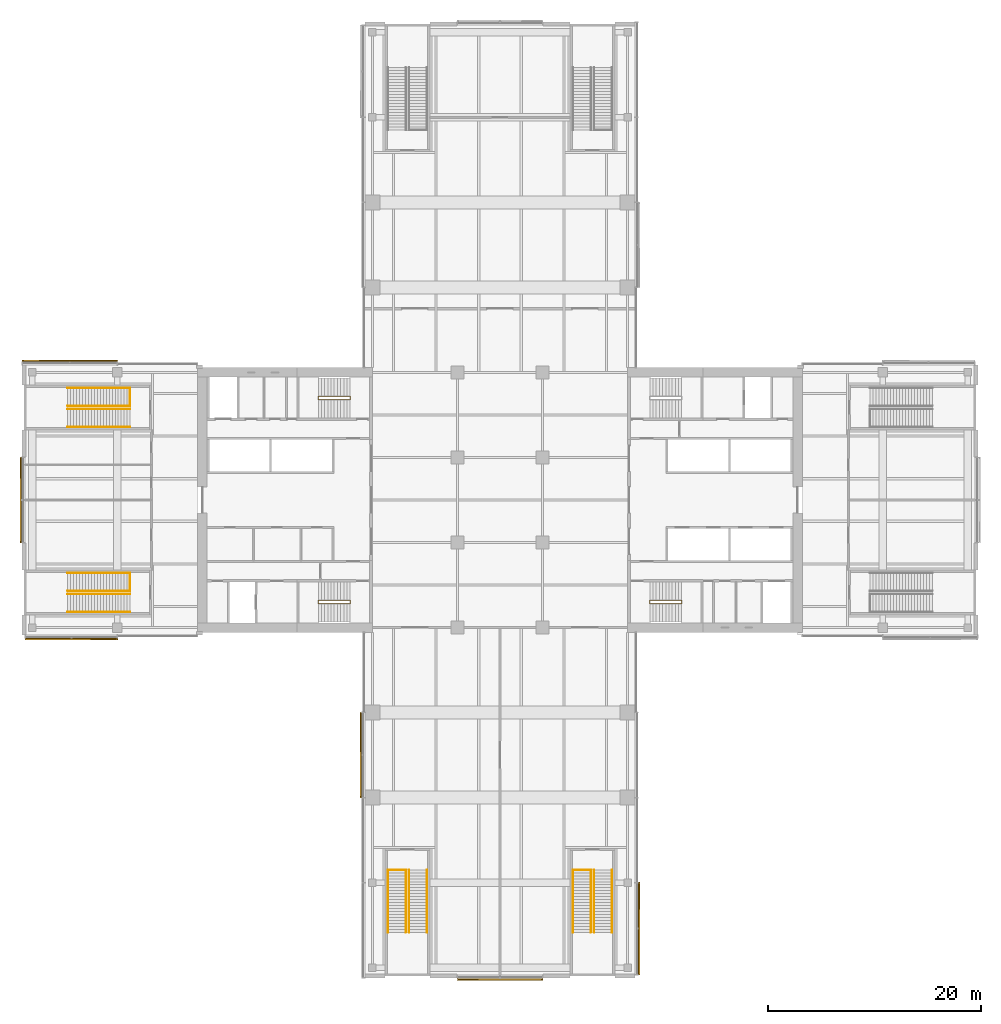
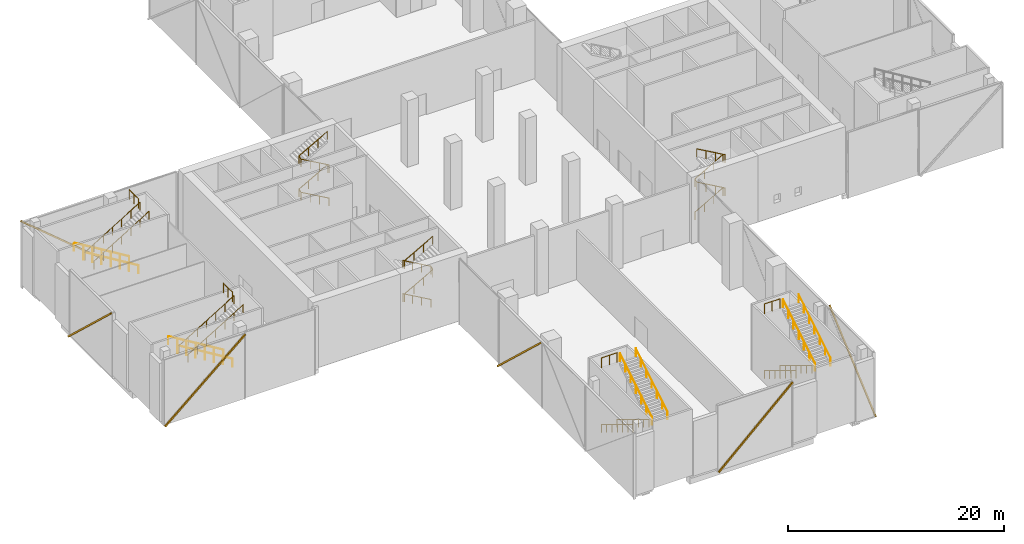
# One storey, part 24 of 25: 23 railings, 6 shading devices, 6 elements without a shape of their own.
"""IFC4 building model written with IfcOpenShell, lengths in metres."""

from ifc_helpers import new_model, si_unit, direction, frame, origin, origin_2d, place, context, subcontext, project, spatial, rectangle, circle, extrude, material, material_profile, profile_set, type_object, element, aggregate, save


model = new_model("IFC4")

# Units and contexts
model_context = context("Model", 3, precision=1e-05, world=origin(), true_north=direction((0.0, 1.0)))
body_context = subcontext(model_context, "Body", "Model", "MODEL_VIEW")
ifc_project = project(units=[si_unit("LENGTHUNIT", "METRE"), si_unit("AREAUNIT", "SQUARE_METRE"), si_unit("VOLUMEUNIT", "CUBIC_METRE"), si_unit("PLANEANGLEUNIT", "RADIAN"), si_unit("MASSUNIT", "GRAM", prefix="KILO")], contexts=[model_context])

# Site, building, storey
site_placement = place(None, origin())
site = spatial("IfcSite", under=ifc_project, at=site_placement, CompositionType="ELEMENT")
building_placement = place(site_placement, origin())
building = spatial("IfcBuilding", under=site, at=building_placement, Name="Crosswind Convention Tower", CompositionType="ELEMENT")
storey_placement = place(building_placement, frame((0.0, 0.0, 34.0)))
storey = spatial("IfcBuildingStorey", under=building, at=storey_placement, Name="L04", CompositionType="ELEMENT", Elevation=34.0)

# Railings
ifc_material_1 = material(Name="Stainless steel", Category="steel")
railing_type_1 = type_object("IfcRailingType", Name="STAIR GUARD 1100", PredefinedType="GUARDRAIL", material=ifc_material_1)
for number, where, name in (
    (1, (114.4599609375, 65.199951171875, 7.5), "Stair guard S1 L04"),
    (2, (131.860107421875, 65.199951171875, 7.5), "Stair guard S2 L04"),
):
    element("IfcRailing", number, at=place(storey_placement, frame(where)), inside=storey, type_object=railing_type_1, Name=name, PredefinedType="GUARDRAIL", context=body_context, shape_type="SweptSolid", body=[
        extrude(circle(Radius=0.02392578125, at=origin_2d()), frame((0.0, 0.0, 1.076171875), z_axis=(1.0, 0.0, 0.0), x_axis=(0.0, 1.0, 0.0)), (0.0, 0.0, 1.0), 1.679931640625),
        extrude(circle(Radius=0.02099609375, at=origin_2d()), origin(), (0.0, 0.0, 1.0), 1.052001953125),
        extrude(circle(Radius=0.02099609375, at=origin_2d()), frame((0.83984375, 0.0, 0.0)), (0.0, 0.0, 1.0), 1.052001953125),
        extrude(circle(Radius=0.02099609375, at=origin_2d()), frame((1.679931640625, 0.0, 0.0)), (0.0, 0.0, 1.0), 1.052001953125),
    ])
for number, where, name in (
    (3, (90.199951171875, 93.139892578125, 7.5), "Stair guard W1 L04"),
    (4, (90.199951171875, 110.5400390625, 7.5), "Stair guard W2 L04"),
):
    element("IfcRailing", number, at=place(storey_placement, frame(where)), inside=storey, type_object=railing_type_1, Name=name, PredefinedType="GUARDRAIL", context=body_context, shape_type="SweptSolid", body=[
        extrude(circle(Radius=0.02392578125, at=origin_2d()), frame((0.0, 0.0, 1.076171875), z_axis=(0.0, -1.0, 0.0), x_axis=(1.0, 0.0, 0.0)), (0.0, 0.0, 1.0), 1.679931640625),
        extrude(circle(Radius=0.02099609375, at=origin_2d()), origin(), (0.0, 0.0, 1.0), 1.052001953125),
        extrude(circle(Radius=0.02099609375, at=origin_2d()), frame((0.0, -0.83984375, 0.0)), (0.0, 0.0, 1.0), 1.052001953125),
        extrude(circle(Radius=0.02099609375, at=origin_2d()), frame((0.0, -1.679931640625, 0.0)), (0.0, 0.0, 1.0), 1.052001953125),
    ])
railing_type_2 = type_object("IfcRailingType", Name="STAIR HANDRAIL 900", PredefinedType="HANDRAIL", material=ifc_material_1)
for number, where, name in (
    (5, (114.4599609375, 65.199951171875, 0.17041015625), "Handrail S1 L04 1"),
    (6, (116.139892578125, 65.199951171875, 0.17041015625), "Handrail S1 L04 2"),
):
    element("IfcRailing", number, at=place(storey_placement, frame(where)), inside=storey, type_object=railing_type_2, Name=name, PredefinedType="HANDRAIL", context=body_context, shape_type="SweptSolid", body=[
        extrude(circle(Radius=0.02392578125, at=origin_2d()), frame((0.0, 0.0, 0.8759765625), z_axis=(0.0, -0.854164310681, 0.520003202259), x_axis=(1.0, 0.0, 0.0)), (0.0, 0.0, 1.0), 6.8837890625),
        extrude(circle(Radius=0.02099609375, at=origin_2d()), origin(), (0.0, 0.0, 1.0), 0.851806640625),
        extrude(circle(Radius=0.02099609375, at=origin_2d()), frame((0.0, -0.97998046875, 0.5966796875)), (0.0, 0.0, 1.0), 0.851806640625),
        extrude(circle(Radius=0.02099609375, at=origin_2d()), frame((0.0, -1.9599609375, 1.193115234375)), (0.0, 0.0, 1.0), 0.851806640625),
        extrude(circle(Radius=0.02099609375, at=origin_2d()), frame((0.0, -2.93994140625, 1.789794921875)), (0.0, 0.0, 1.0), 0.851806640625),
        extrude(circle(Radius=0.02099609375, at=origin_2d()), frame((0.0, -3.919921875, 2.386474609375)), (0.0, 0.0, 1.0), 0.851806640625),
        extrude(circle(Radius=0.02099609375, at=origin_2d()), frame((0.0, -4.89990234375, 2.98291015625)), (0.0, 0.0, 1.0), 0.851806640625),
        extrude(circle(Radius=0.02099609375, at=origin_2d()), frame((0.0, -5.8798828125, 3.57958984375)), (0.0, 0.0, 1.0), 0.851806640625),
    ])
for number, where, name in (
    (7, (116.4599609375, 59.320068359375, 3.92041015625), "Handrail S1 L04 3"),
    (8, (118.139892578125, 59.320068359375, 3.92041015625), "Handrail S1 L04 4"),
):
    element("IfcRailing", number, at=place(storey_placement, frame(where)), inside=storey, type_object=railing_type_2, Name=name, PredefinedType="HANDRAIL", context=body_context, shape_type="SweptSolid", body=[
        extrude(circle(Radius=0.02392578125, at=origin_2d()), frame((0.0, 0.0, 0.8759765625), z_axis=(0.0, 0.854164310681, 0.520003202259), x_axis=(-1.0, 0.0, 0.0)), (0.0, 0.0, 1.0), 6.8837890625),
        extrude(circle(Radius=0.02099609375, at=origin_2d()), origin(), (0.0, 0.0, 1.0), 0.851806640625),
        extrude(circle(Radius=0.02099609375, at=origin_2d()), frame((0.0, 0.97998046875, 0.5966796875)), (0.0, 0.0, 1.0), 0.851806640625),
        extrude(circle(Radius=0.02099609375, at=origin_2d()), frame((0.0, 1.9599609375, 1.193115234375)), (0.0, 0.0, 1.0), 0.851806640625),
        extrude(circle(Radius=0.02099609375, at=origin_2d()), frame((0.0, 2.93994140625, 1.789794921875)), (0.0, 0.0, 1.0), 0.851806640625),
        extrude(circle(Radius=0.02099609375, at=origin_2d()), frame((0.0, 3.919921875, 2.386474609375)), (0.0, 0.0, 1.0), 0.851806640625),
        extrude(circle(Radius=0.02099609375, at=origin_2d()), frame((0.0, 4.89990234375, 2.98291015625)), (0.0, 0.0, 1.0), 0.851806640625),
        extrude(circle(Radius=0.02099609375, at=origin_2d()), frame((0.0, 5.8798828125, 3.57958984375)), (0.0, 0.0, 1.0), 0.851806640625),
    ])
for number, where, name in (
    (9, (131.860107421875, 65.199951171875, 0.17041015625), "Handrail S2 L04 1"),
    (10, (133.5400390625, 65.199951171875, 0.17041015625), "Handrail S2 L04 2"),
):
    element("IfcRailing", number, at=place(storey_placement, frame(where)), inside=storey, type_object=railing_type_2, Name=name, PredefinedType="HANDRAIL", context=body_context, shape_type="SweptSolid", body=[
        extrude(circle(Radius=0.02392578125, at=origin_2d()), frame((0.0, 0.0, 0.8759765625), z_axis=(0.0, -0.854164310681, 0.520003202259), x_axis=(1.0, 0.0, 0.0)), (0.0, 0.0, 1.0), 6.8837890625),
        extrude(circle(Radius=0.02099609375, at=origin_2d()), origin(), (0.0, 0.0, 1.0), 0.851806640625),
        extrude(circle(Radius=0.02099609375, at=origin_2d()), frame((0.0, -0.97998046875, 0.5966796875)), (0.0, 0.0, 1.0), 0.851806640625),
        extrude(circle(Radius=0.02099609375, at=origin_2d()), frame((0.0, -1.9599609375, 1.193115234375)), (0.0, 0.0, 1.0), 0.851806640625),
        extrude(circle(Radius=0.02099609375, at=origin_2d()), frame((0.0, -2.93994140625, 1.789794921875)), (0.0, 0.0, 1.0), 0.851806640625),
        extrude(circle(Radius=0.02099609375, at=origin_2d()), frame((0.0, -3.919921875, 2.386474609375)), (0.0, 0.0, 1.0), 0.851806640625),
        extrude(circle(Radius=0.02099609375, at=origin_2d()), frame((0.0, -4.89990234375, 2.98291015625)), (0.0, 0.0, 1.0), 0.851806640625),
        extrude(circle(Radius=0.02099609375, at=origin_2d()), frame((0.0, -5.8798828125, 3.57958984375)), (0.0, 0.0, 1.0), 0.851806640625),
    ])
for number, where, name in (
    (11, (133.860107421875, 59.320068359375, 3.92041015625), "Handrail S2 L04 3"),
    (12, (135.5400390625, 59.320068359375, 3.92041015625), "Handrail S2 L04 4"),
):
    element("IfcRailing", number, at=place(storey_placement, frame(where)), inside=storey, type_object=railing_type_2, Name=name, PredefinedType="HANDRAIL", context=body_context, shape_type="SweptSolid", body=[
        extrude(circle(Radius=0.02392578125, at=origin_2d()), frame((0.0, 0.0, 0.8759765625), z_axis=(0.0, 0.854164310681, 0.520003202259), x_axis=(-1.0, 0.0, 0.0)), (0.0, 0.0, 1.0), 6.8837890625),
        extrude(circle(Radius=0.02099609375, at=origin_2d()), origin(), (0.0, 0.0, 1.0), 0.851806640625),
        extrude(circle(Radius=0.02099609375, at=origin_2d()), frame((0.0, 0.97998046875, 0.5966796875)), (0.0, 0.0, 1.0), 0.851806640625),
        extrude(circle(Radius=0.02099609375, at=origin_2d()), frame((0.0, 1.9599609375, 1.193115234375)), (0.0, 0.0, 1.0), 0.851806640625),
        extrude(circle(Radius=0.02099609375, at=origin_2d()), frame((0.0, 2.93994140625, 1.789794921875)), (0.0, 0.0, 1.0), 0.851806640625),
        extrude(circle(Radius=0.02099609375, at=origin_2d()), frame((0.0, 3.919921875, 2.386474609375)), (0.0, 0.0, 1.0), 0.851806640625),
        extrude(circle(Radius=0.02099609375, at=origin_2d()), frame((0.0, 4.89990234375, 2.98291015625)), (0.0, 0.0, 1.0), 0.851806640625),
        extrude(circle(Radius=0.02099609375, at=origin_2d()), frame((0.0, 5.8798828125, 3.57958984375)), (0.0, 0.0, 1.0), 0.851806640625),
    ])
for number, where, name in (
    (13, (90.199951171875, 93.139892578125, 0.17041015625), "Handrail W1 L04 1"),
    (14, (90.199951171875, 91.4599609375, 0.17041015625), "Handrail W1 L04 2"),
):
    element("IfcRailing", number, at=place(storey_placement, frame(where)), inside=storey, type_object=railing_type_2, Name=name, PredefinedType="HANDRAIL", context=body_context, shape_type="SweptSolid", body=[
        extrude(circle(Radius=0.02392578125, at=origin_2d()), frame((0.0, 0.0, 0.8759765625), z_axis=(-0.854164310681, 0.0, 0.520003202259), x_axis=(0.0, -1.0, 0.0)), (0.0, 0.0, 1.0), 6.8837890625),
        extrude(circle(Radius=0.02099609375, at=origin_2d()), origin(), (0.0, 0.0, 1.0), 0.851806640625),
        extrude(circle(Radius=0.02099609375, at=origin_2d()), frame((-0.97998046875, 0.0, 0.5966796875)), (0.0, 0.0, 1.0), 0.851806640625),
        extrude(circle(Radius=0.02099609375, at=origin_2d()), frame((-1.9599609375, 0.0, 1.193115234375)), (0.0, 0.0, 1.0), 0.851806640625),
        extrude(circle(Radius=0.02099609375, at=origin_2d()), frame((-2.93994140625, 0.0, 1.789794921875)), (0.0, 0.0, 1.0), 0.851806640625),
        extrude(circle(Radius=0.02099609375, at=origin_2d()), frame((-3.919921875, 0.0, 2.386474609375)), (0.0, 0.0, 1.0), 0.851806640625),
        extrude(circle(Radius=0.02099609375, at=origin_2d()), frame((-4.89990234375, 0.0, 2.98291015625)), (0.0, 0.0, 1.0), 0.851806640625),
        extrude(circle(Radius=0.02099609375, at=origin_2d()), frame((-5.8798828125, 0.0, 3.57958984375)), (0.0, 0.0, 1.0), 0.851806640625),
    ])
for number, where, name in (
    (15, (84.320068359375, 91.139892578125, 3.92041015625), "Handrail W1 L04 3"),
    (16, (84.320068359375, 89.4599609375, 3.92041015625), "Handrail W1 L04 4"),
):
    element("IfcRailing", number, at=place(storey_placement, frame(where)), inside=storey, type_object=railing_type_2, Name=name, PredefinedType="HANDRAIL", context=body_context, shape_type="SweptSolid", body=[
        extrude(circle(Radius=0.02392578125, at=origin_2d()), frame((0.0, 0.0, 0.8759765625), z_axis=(0.854164310681, 0.0, 0.520003202259), x_axis=(0.0, 1.0, 0.0)), (0.0, 0.0, 1.0), 6.8837890625),
        extrude(circle(Radius=0.02099609375, at=origin_2d()), origin(), (0.0, 0.0, 1.0), 0.851806640625),
        extrude(circle(Radius=0.02099609375, at=origin_2d()), frame((0.97998046875, 0.0, 0.5966796875)), (0.0, 0.0, 1.0), 0.851806640625),
        extrude(circle(Radius=0.02099609375, at=origin_2d()), frame((1.9599609375, 0.0, 1.193115234375)), (0.0, 0.0, 1.0), 0.851806640625),
        extrude(circle(Radius=0.02099609375, at=origin_2d()), frame((2.93994140625, 0.0, 1.789794921875)), (0.0, 0.0, 1.0), 0.851806640625),
        extrude(circle(Radius=0.02099609375, at=origin_2d()), frame((3.919921875, 0.0, 2.386474609375)), (0.0, 0.0, 1.0), 0.851806640625),
        extrude(circle(Radius=0.02099609375, at=origin_2d()), frame((4.89990234375, 0.0, 2.98291015625)), (0.0, 0.0, 1.0), 0.851806640625),
        extrude(circle(Radius=0.02099609375, at=origin_2d()), frame((5.8798828125, 0.0, 3.57958984375)), (0.0, 0.0, 1.0), 0.851806640625),
    ])
for number, where, name in (
    (17, (90.199951171875, 110.5400390625, 0.17041015625), "Handrail W2 L04 1"),
    (18, (90.199951171875, 108.860107421875, 0.17041015625), "Handrail W2 L04 2"),
):
    element("IfcRailing", number, at=place(storey_placement, frame(where)), inside=storey, type_object=railing_type_2, Name=name, PredefinedType="HANDRAIL", context=body_context, shape_type="SweptSolid", body=[
        extrude(circle(Radius=0.02392578125, at=origin_2d()), frame((0.0, 0.0, 0.8759765625), z_axis=(-0.854164310681, 0.0, 0.520003202259), x_axis=(0.0, -1.0, 0.0)), (0.0, 0.0, 1.0), 6.8837890625),
        extrude(circle(Radius=0.02099609375, at=origin_2d()), origin(), (0.0, 0.0, 1.0), 0.851806640625),
        extrude(circle(Radius=0.02099609375, at=origin_2d()), frame((-0.97998046875, 0.0, 0.5966796875)), (0.0, 0.0, 1.0), 0.851806640625),
        extrude(circle(Radius=0.02099609375, at=origin_2d()), frame((-1.9599609375, 0.0, 1.193115234375)), (0.0, 0.0, 1.0), 0.851806640625),
        extrude(circle(Radius=0.02099609375, at=origin_2d()), frame((-2.93994140625, 0.0, 1.789794921875)), (0.0, 0.0, 1.0), 0.851806640625),
        extrude(circle(Radius=0.02099609375, at=origin_2d()), frame((-3.919921875, 0.0, 2.386474609375)), (0.0, 0.0, 1.0), 0.851806640625),
        extrude(circle(Radius=0.02099609375, at=origin_2d()), frame((-4.89990234375, 0.0, 2.98291015625)), (0.0, 0.0, 1.0), 0.851806640625),
        extrude(circle(Radius=0.02099609375, at=origin_2d()), frame((-5.8798828125, 0.0, 3.57958984375)), (0.0, 0.0, 1.0), 0.851806640625),
    ])
for number, where, name in (
    (19, (84.320068359375, 108.5400390625, 3.92041015625), "Handrail W2 L04 3"),
    (20, (84.320068359375, 106.860107421875, 3.92041015625), "Handrail W2 L04 4"),
):
    element("IfcRailing", number, at=place(storey_placement, frame(where)), inside=storey, type_object=railing_type_2, Name=name, PredefinedType="HANDRAIL", context=body_context, shape_type="SweptSolid", body=[
        extrude(circle(Radius=0.02392578125, at=origin_2d()), frame((0.0, 0.0, 0.8759765625), z_axis=(0.854164310681, 0.0, 0.520003202259), x_axis=(0.0, 1.0, 0.0)), (0.0, 0.0, 1.0), 6.8837890625),
        extrude(circle(Radius=0.02099609375, at=origin_2d()), origin(), (0.0, 0.0, 1.0), 0.851806640625),
        extrude(circle(Radius=0.02099609375, at=origin_2d()), frame((0.97998046875, 0.0, 0.5966796875)), (0.0, 0.0, 1.0), 0.851806640625),
        extrude(circle(Radius=0.02099609375, at=origin_2d()), frame((1.9599609375, 0.0, 1.193115234375)), (0.0, 0.0, 1.0), 0.851806640625),
        extrude(circle(Radius=0.02099609375, at=origin_2d()), frame((2.93994140625, 0.0, 1.789794921875)), (0.0, 0.0, 1.0), 0.851806640625),
        extrude(circle(Radius=0.02099609375, at=origin_2d()), frame((3.919921875, 0.0, 2.386474609375)), (0.0, 0.0, 1.0), 0.851806640625),
        extrude(circle(Radius=0.02099609375, at=origin_2d()), frame((4.89990234375, 0.0, 2.98291015625)), (0.0, 0.0, 1.0), 0.851806640625),
        extrude(circle(Radius=0.02099609375, at=origin_2d()), frame((5.8798828125, 0.0, 3.57958984375)), (0.0, 0.0, 1.0), 0.851806640625),
    ])
railing_type_3 = type_object("IfcRailingType", Name="Stair handrail 900", PredefinedType="HANDRAIL", material=ifc_material_1)
railing_1_placement = place(storey_placement, frame((139.10009765625, 90.56005859375, 0.17041015625)))
element("IfcRailing", 21, at=railing_1_placement, inside=storey, type_object=railing_type_3, Name="Stair ST2 handrail L04", PredefinedType="HANDRAIL", context=body_context, shape_type="SweptSolid", body=[
    extrude(circle(Radius=0.02392578125, at=origin_2d()), frame((0.0, 0.0, 0.8759765625), z_axis=(0.869451031676, 0.0, 0.494019132744), x_axis=(0.0, 1.0, 0.0)), (0.0, 0.0, 1.0), 3.450439453125),
    extrude(circle(Radius=0.02392578125, at=origin_2d()), frame((3.0, 0.0, 2.58056640625), z_axis=(0.0, -0.882688199001, 0.469959086883), x_axis=(1.0, 0.0, 0.0)), (0.0, 0.0, 1.0), 0.362548828125),
    extrude(circle(Radius=0.02392578125, at=origin_2d()), frame((3.0, -0.320068359375, 2.7509765625), z_axis=(-0.869451031676, 0.0, 0.494019132744), x_axis=(0.0, -1.0, 0.0)), (0.0, 0.0, 1.0), 3.450439453125),
    extrude(circle(Radius=0.02392578125, at=origin_2d()), frame((0.0, -0.320068359375, 4.45556640625), z_axis=(0.0, 0.882688199001, 0.469959086883), x_axis=(-1.0, 0.0, 0.0)), (0.0, 0.0, 1.0), 0.362548828125),
    extrude(circle(Radius=0.02392578125, at=origin_2d()), frame((0.0, 0.0, 4.6259765625), z_axis=(0.869451031676, 0.0, 0.494019132744), x_axis=(0.0, 1.0, 0.0)), (0.0, 0.0, 1.0), 3.450439453125),
    extrude(circle(Radius=0.02392578125, at=origin_2d()), frame((3.0, 0.0, 6.33056640625), z_axis=(0.0, -0.882688199001, 0.469959086883), x_axis=(1.0, 0.0, 0.0)), (0.0, 0.0, 1.0), 0.362548828125),
    extrude(circle(Radius=0.02392578125, at=origin_2d()), frame((3.0, -0.320068359375, 6.5009765625), z_axis=(-0.869451031676, 0.0, 0.494019132744), x_axis=(0.0, -1.0, 0.0)), (0.0, 0.0, 1.0), 3.450439453125),
    extrude(circle(Radius=0.02099609375, at=origin_2d()), origin(), (0.0, 0.0, 1.0), 0.851806640625),
    extrude(circle(Radius=0.02099609375, at=origin_2d()), frame((1.0, 0.0, 0.568115234375)), (0.0, 0.0, 1.0), 0.851806640625),
    extrude(circle(Radius=0.02099609375, at=origin_2d()), frame((2.0, 0.0, 1.136474609375)), (0.0, 0.0, 1.0), 0.851806640625),
    extrude(circle(Radius=0.02099609375, at=origin_2d()), frame((3.0, 0.0, 1.70458984375)), (0.0, 0.0, 1.0), 0.851806640625),
    extrude(circle(Radius=0.02099609375, at=origin_2d()), frame((3.0, -0.320068359375, 1.875)), (0.0, 0.0, 1.0), 0.851806640625),
    extrude(circle(Radius=0.02099609375, at=origin_2d()), frame((2.0, -0.320068359375, 2.443115234375)), (0.0, 0.0, 1.0), 0.851806640625),
    extrude(circle(Radius=0.02099609375, at=origin_2d()), frame((1.0, -0.320068359375, 3.011474609375)), (0.0, 0.0, 1.0), 0.851806640625),
    extrude(circle(Radius=0.02099609375, at=origin_2d()), frame((0.0, -0.320068359375, 3.57958984375)), (0.0, 0.0, 1.0), 0.851806640625),
    extrude(circle(Radius=0.02099609375, at=origin_2d()), frame((0.0, 0.0, 3.75)), (0.0, 0.0, 1.0), 0.851806640625),
    extrude(circle(Radius=0.02099609375, at=origin_2d()), frame((1.0, 0.0, 4.318115234375)), (0.0, 0.0, 1.0), 0.851806640625),
    extrude(circle(Radius=0.02099609375, at=origin_2d()), frame((2.0, 0.0, 4.886474609375)), (0.0, 0.0, 1.0), 0.851806640625),
    extrude(circle(Radius=0.02099609375, at=origin_2d()), frame((3.0, 0.0, 5.45458984375)), (0.0, 0.0, 1.0), 0.851806640625),
    extrude(circle(Radius=0.02099609375, at=origin_2d()), frame((3.0, -0.320068359375, 5.625)), (0.0, 0.0, 1.0), 0.851806640625),
    extrude(circle(Radius=0.02099609375, at=origin_2d()), frame((2.0, -0.320068359375, 6.193115234375)), (0.0, 0.0, 1.0), 0.851806640625),
    extrude(circle(Radius=0.02099609375, at=origin_2d()), frame((1.0, -0.320068359375, 6.761474609375)), (0.0, 0.0, 1.0), 0.851806640625),
    extrude(circle(Radius=0.02099609375, at=origin_2d()), frame((0.0, -0.320068359375, 7.32958984375)), (0.0, 0.0, 1.0), 0.851806640625),
])
railing_2_placement = place(storey_placement, frame((110.89990234375, 90.56005859375, 0.17041015625)))
element("IfcRailing", 22, at=railing_2_placement, inside=storey, type_object=railing_type_3, Name="Stair ST3 handrail L04", PredefinedType="HANDRAIL", context=body_context, shape_type="SweptSolid", body=[
    extrude(circle(Radius=0.02392578125, at=origin_2d()), frame((0.0, 0.0, 0.8759765625), z_axis=(-0.869451031676, 0.0, 0.494019132744), x_axis=(0.0, -1.0, 0.0)), (0.0, 0.0, 1.0), 3.450439453125),
    extrude(circle(Radius=0.02392578125, at=origin_2d()), frame((-3.0, 0.0, 2.58056640625), z_axis=(0.0, -0.882688199001, 0.469959086883), x_axis=(1.0, 0.0, 0.0)), (0.0, 0.0, 1.0), 0.362548828125),
    extrude(circle(Radius=0.02392578125, at=origin_2d()), frame((-3.0, -0.320068359375, 2.7509765625), z_axis=(0.869451031676, 0.0, 0.494019132744), x_axis=(0.0, 1.0, 0.0)), (0.0, 0.0, 1.0), 3.450439453125),
    extrude(circle(Radius=0.02392578125, at=origin_2d()), frame((0.0, -0.320068359375, 4.45556640625), z_axis=(0.0, 0.882688199001, 0.469959086883), x_axis=(-1.0, 0.0, 0.0)), (0.0, 0.0, 1.0), 0.362548828125),
    extrude(circle(Radius=0.02392578125, at=origin_2d()), frame((0.0, 0.0, 4.6259765625), z_axis=(-0.869451031676, 0.0, 0.494019132744), x_axis=(0.0, -1.0, 0.0)), (0.0, 0.0, 1.0), 3.450439453125),
    extrude(circle(Radius=0.02392578125, at=origin_2d()), frame((-3.0, 0.0, 6.33056640625), z_axis=(0.0, -0.882688199001, 0.469959086883), x_axis=(1.0, 0.0, 0.0)), (0.0, 0.0, 1.0), 0.362548828125),
    extrude(circle(Radius=0.02392578125, at=origin_2d()), frame((-3.0, -0.320068359375, 6.5009765625), z_axis=(0.869451031676, 0.0, 0.494019132744), x_axis=(0.0, 1.0, 0.0)), (0.0, 0.0, 1.0), 3.450439453125),
    extrude(circle(Radius=0.02099609375, at=origin_2d()), origin(), (0.0, 0.0, 1.0), 0.851806640625),
    extrude(circle(Radius=0.02099609375, at=origin_2d()), frame((-1.0, 0.0, 0.568115234375)), (0.0, 0.0, 1.0), 0.851806640625),
    extrude(circle(Radius=0.02099609375, at=origin_2d()), frame((-2.0, 0.0, 1.136474609375)), (0.0, 0.0, 1.0), 0.851806640625),
    extrude(circle(Radius=0.02099609375, at=origin_2d()), frame((-3.0, 0.0, 1.70458984375)), (0.0, 0.0, 1.0), 0.851806640625),
    extrude(circle(Radius=0.02099609375, at=origin_2d()), frame((-3.0, -0.320068359375, 1.875)), (0.0, 0.0, 1.0), 0.851806640625),
    extrude(circle(Radius=0.02099609375, at=origin_2d()), frame((-2.0, -0.320068359375, 2.443115234375)), (0.0, 0.0, 1.0), 0.851806640625),
    extrude(circle(Radius=0.02099609375, at=origin_2d()), frame((-1.0, -0.320068359375, 3.011474609375)), (0.0, 0.0, 1.0), 0.851806640625),
    extrude(circle(Radius=0.02099609375, at=origin_2d()), frame((0.0, -0.320068359375, 3.57958984375)), (0.0, 0.0, 1.0), 0.851806640625),
    extrude(circle(Radius=0.02099609375, at=origin_2d()), frame((0.0, 0.0, 3.75)), (0.0, 0.0, 1.0), 0.851806640625),
    extrude(circle(Radius=0.02099609375, at=origin_2d()), frame((-1.0, 0.0, 4.318115234375)), (0.0, 0.0, 1.0), 0.851806640625),
    extrude(circle(Radius=0.02099609375, at=origin_2d()), frame((-2.0, 0.0, 4.886474609375)), (0.0, 0.0, 1.0), 0.851806640625),
    extrude(circle(Radius=0.02099609375, at=origin_2d()), frame((-3.0, 0.0, 5.45458984375)), (0.0, 0.0, 1.0), 0.851806640625),
    extrude(circle(Radius=0.02099609375, at=origin_2d()), frame((-3.0, -0.320068359375, 5.625)), (0.0, 0.0, 1.0), 0.851806640625),
    extrude(circle(Radius=0.02099609375, at=origin_2d()), frame((-2.0, -0.320068359375, 6.193115234375)), (0.0, 0.0, 1.0), 0.851806640625),
    extrude(circle(Radius=0.02099609375, at=origin_2d()), frame((-1.0, -0.320068359375, 6.761474609375)), (0.0, 0.0, 1.0), 0.851806640625),
    extrude(circle(Radius=0.02099609375, at=origin_2d()), frame((0.0, -0.320068359375, 7.32958984375)), (0.0, 0.0, 1.0), 0.851806640625),
])
railing_3_placement = place(storey_placement, frame((110.89990234375, 109.43994140625, 0.17041015625)))
element("IfcRailing", 23, at=railing_3_placement, inside=storey, type_object=railing_type_3, Name="Stair ST4 handrail L04", PredefinedType="HANDRAIL", context=body_context, shape_type="SweptSolid", body=[
    extrude(circle(Radius=0.02392578125, at=origin_2d()), frame((0.0, 0.0, 0.8759765625), z_axis=(-0.869451031676, 0.0, 0.494019132744), x_axis=(0.0, -1.0, 0.0)), (0.0, 0.0, 1.0), 3.450439453125),
    extrude(circle(Radius=0.02392578125, at=origin_2d()), frame((-3.0, 0.0, 2.58056640625), z_axis=(0.0, 0.882688199001, 0.469959086883), x_axis=(-1.0, 0.0, 0.0)), (0.0, 0.0, 1.0), 0.362548828125),
    extrude(circle(Radius=0.02392578125, at=origin_2d()), frame((-3.0, 0.320068359375, 2.7509765625), z_axis=(0.869451031676, 0.0, 0.494019132744), x_axis=(0.0, 1.0, 0.0)), (0.0, 0.0, 1.0), 3.450439453125),
    extrude(circle(Radius=0.02392578125, at=origin_2d()), frame((0.0, 0.320068359375, 4.45556640625), z_axis=(0.0, -0.882688199001, 0.469959086883), x_axis=(1.0, 0.0, 0.0)), (0.0, 0.0, 1.0), 0.362548828125),
    extrude(circle(Radius=0.02392578125, at=origin_2d()), frame((0.0, 0.0, 4.6259765625), z_axis=(-0.869451031676, 0.0, 0.494019132744), x_axis=(0.0, -1.0, 0.0)), (0.0, 0.0, 1.0), 3.450439453125),
    extrude(circle(Radius=0.02392578125, at=origin_2d()), frame((-3.0, 0.0, 6.33056640625), z_axis=(0.0, 0.882688199001, 0.469959086883), x_axis=(-1.0, 0.0, 0.0)), (0.0, 0.0, 1.0), 0.362548828125),
    extrude(circle(Radius=0.02392578125, at=origin_2d()), frame((-3.0, 0.320068359375, 6.5009765625), z_axis=(0.869451031676, 0.0, 0.494019132744), x_axis=(0.0, 1.0, 0.0)), (0.0, 0.0, 1.0), 3.450439453125),
    extrude(circle(Radius=0.02099609375, at=origin_2d()), origin(), (0.0, 0.0, 1.0), 0.851806640625),
    extrude(circle(Radius=0.02099609375, at=origin_2d()), frame((-1.0, 0.0, 0.568115234375)), (0.0, 0.0, 1.0), 0.851806640625),
    extrude(circle(Radius=0.02099609375, at=origin_2d()), frame((-2.0, 0.0, 1.136474609375)), (0.0, 0.0, 1.0), 0.851806640625),
    extrude(circle(Radius=0.02099609375, at=origin_2d()), frame((-3.0, 0.0, 1.70458984375)), (0.0, 0.0, 1.0), 0.851806640625),
    extrude(circle(Radius=0.02099609375, at=origin_2d()), frame((-3.0, 0.320068359375, 1.875)), (0.0, 0.0, 1.0), 0.851806640625),
    extrude(circle(Radius=0.02099609375, at=origin_2d()), frame((-2.0, 0.320068359375, 2.443115234375)), (0.0, 0.0, 1.0), 0.851806640625),
    extrude(circle(Radius=0.02099609375, at=origin_2d()), frame((-1.0, 0.320068359375, 3.011474609375)), (0.0, 0.0, 1.0), 0.851806640625),
    extrude(circle(Radius=0.02099609375, at=origin_2d()), frame((0.0, 0.320068359375, 3.57958984375)), (0.0, 0.0, 1.0), 0.851806640625),
    extrude(circle(Radius=0.02099609375, at=origin_2d()), frame((0.0, 0.0, 3.75)), (0.0, 0.0, 1.0), 0.851806640625),
    extrude(circle(Radius=0.02099609375, at=origin_2d()), frame((-1.0, 0.0, 4.318115234375)), (0.0, 0.0, 1.0), 0.851806640625),
    extrude(circle(Radius=0.02099609375, at=origin_2d()), frame((-2.0, 0.0, 4.886474609375)), (0.0, 0.0, 1.0), 0.851806640625),
    extrude(circle(Radius=0.02099609375, at=origin_2d()), frame((-3.0, 0.0, 5.45458984375)), (0.0, 0.0, 1.0), 0.851806640625),
    extrude(circle(Radius=0.02099609375, at=origin_2d()), frame((-3.0, 0.320068359375, 5.625)), (0.0, 0.0, 1.0), 0.851806640625),
    extrude(circle(Radius=0.02099609375, at=origin_2d()), frame((-2.0, 0.320068359375, 6.193115234375)), (0.0, 0.0, 1.0), 0.851806640625),
    extrude(circle(Radius=0.02099609375, at=origin_2d()), frame((-1.0, 0.320068359375, 6.761474609375)), (0.0, 0.0, 1.0), 0.851806640625),
    extrude(circle(Radius=0.02099609375, at=origin_2d()), frame((0.0, 0.320068359375, 7.32958984375)), (0.0, 0.0, 1.0), 0.851806640625),
])

# Curtain wall, shading device
ifc_material_2 = material(Name="Aluminium unitised curtain wall", Category="aluminium")
curtain_wall_type = type_object("IfcCurtainWallType", Name="PODIUM UNITISED WALL 300", PredefinedType="USERDEFINED", material=ifc_material_2)
curtain_wall_1_placement = place(storey_placement, origin())
curtain_wall_1 = element("IfcCurtainWall", 24, at=curtain_wall_1_placement, inside=storey, type_object=curtain_wall_type, Name="CW1 L04 W-N 2", ObjectType="UNITISED", PredefinedType="USERDEFINED")
ifc_material_3 = material(Name="Extruded terracotta", Category="masonry")
ifc_material_profile = material_profile(ifc_material_3, rectangle(XDim=0.139892578125, YDim=0.159912109375, at=origin_2d()), Name="TC 140X160")
ifc_profile_set = profile_set([ifc_material_profile], Name="Extruded terracotta")
shading_device_type = type_object("IfcShadingDeviceType", Name="TERRACOTTA BAGUETTE 160X140", PredefinedType="USERDEFINED", material=ifc_profile_set)
shading_device_1_placement = place(storey_placement, frame((88.9599609375, 113.093994140625, -0.39990234375), z_axis=(-0.766839858271, 0.0, 0.641838477942), x_axis=(0.0, -1.0, 0.0)))
shading_device_1 = element("IfcShadingDevice", 25, at=shading_device_1_placement, type_object=shading_device_type, Name="CW1 terracotta baguette 1", ObjectType="BAGUETTE", PredefinedType="USERDEFINED", context=body_context, shape_type="SweptSolid", body=[
    extrude(rectangle(XDim=0.139892578125, YDim=0.159912109375, at=origin_2d()), origin(), (0.0, 0.0, 1.0), 11.560302734375),
])
aggregate(curtain_wall_1, [shading_device_1])

curtain_wall_2_placement = place(storey_placement, origin())
curtain_wall_2 = element("IfcCurtainWall", 26, at=curtain_wall_2_placement, inside=storey, type_object=curtain_wall_type, Name="CW1 L04 W-TIP 1", ObjectType="UNITISED", PredefinedType="USERDEFINED")
shading_device_2_placement = place(storey_placement, frame((79.906005859375, 103.9599609375, -0.39990234375), z_axis=(0.0, -0.72976726653, 0.683695646251), x_axis=(1.0, 0.0, 0.0)))
shading_device_2 = element("IfcShadingDevice", 27, at=shading_device_2_placement, type_object=shading_device_type, Name="CW1 terracotta baguette 1", ObjectType="BAGUETTE", PredefinedType="USERDEFINED", context=body_context, shape_type="SweptSolid", body=[
    extrude(rectangle(XDim=0.139892578125, YDim=0.159912109375, at=origin_2d()), origin(), (0.0, 0.0, 1.0), 10.852783203125),
])
aggregate(curtain_wall_2, [shading_device_2])

curtain_wall_3_placement = place(storey_placement, origin())
curtain_wall_3 = element("IfcCurtainWall", 28, at=curtain_wall_3_placement, inside=storey, type_object=curtain_wall_type, Name="CW1 L04 W-S 1", ObjectType="UNITISED", PredefinedType="USERDEFINED")
shading_device_3_placement = place(storey_placement, frame((80.3798828125, 86.906005859375, -0.39990234375), z_axis=(0.756393103747, 0.0, 0.654117323272), x_axis=(0.0, 1.0, 0.0)))
shading_device_3 = element("IfcShadingDevice", 29, at=shading_device_3_placement, type_object=shading_device_type, Name="CW1 terracotta baguette 1", ObjectType="BAGUETTE", PredefinedType="USERDEFINED", context=body_context, shape_type="SweptSolid", body=[
    extrude(rectangle(XDim=0.139892578125, YDim=0.159912109375, at=origin_2d()), origin(), (0.0, 0.0, 1.0), 11.343505859375),
])
aggregate(curtain_wall_3, [shading_device_3])

curtain_wall_4_placement = place(storey_placement, origin())
curtain_wall_4 = element("IfcCurtainWall", 30, at=curtain_wall_4_placement, inside=storey, type_object=curtain_wall_type, Name="CW1 L04 S-W 1", ObjectType="UNITISED", PredefinedType="USERDEFINED")
shading_device_4_placement = place(storey_placement, frame((111.906005859375, 79.9599609375, -0.39990234375), z_axis=(0.0, -0.72976726653, 0.683695646251), x_axis=(1.0, 0.0, 0.0)))
shading_device_4 = element("IfcShadingDevice", 31, at=shading_device_4_placement, type_object=shading_device_type, Name="CW1 terracotta baguette 1", ObjectType="BAGUETTE", PredefinedType="USERDEFINED", context=body_context, shape_type="SweptSolid", body=[
    extrude(rectangle(XDim=0.139892578125, YDim=0.159912109375, at=origin_2d()), origin(), (0.0, 0.0, 1.0), 10.852783203125),
])
aggregate(curtain_wall_4, [shading_device_4])

curtain_wall_5_placement = place(storey_placement, origin())
curtain_wall_5 = element("IfcCurtainWall", 32, at=curtain_wall_5_placement, inside=storey, type_object=curtain_wall_type, Name="CW1 L04 S-TIP 1", ObjectType="UNITISED", PredefinedType="USERDEFINED")
shading_device_5_placement = place(storey_placement, frame((121.0400390625, 54.906005859375, -0.39990234375), z_axis=(0.72976726653, 0.0, 0.683695646251), x_axis=(0.0, 1.0, 0.0)))
shading_device_5 = element("IfcShadingDevice", 33, at=shading_device_5_placement, type_object=shading_device_type, Name="CW1 terracotta baguette 1", ObjectType="BAGUETTE", PredefinedType="USERDEFINED", context=body_context, shape_type="SweptSolid", body=[
    extrude(rectangle(XDim=0.139892578125, YDim=0.159912109375, at=origin_2d()), origin(), (0.0, 0.0, 1.0), 10.852783203125),
])
aggregate(curtain_wall_5, [shading_device_5])

curtain_wall_6_placement = place(storey_placement, origin())
curtain_wall_6 = element("IfcCurtainWall", 34, at=curtain_wall_6_placement, inside=storey, type_object=curtain_wall_type, Name="CW1 L04 S-E 1", ObjectType="UNITISED", PredefinedType="USERDEFINED")
shading_device_6_placement = place(storey_placement, frame((138.093994140625, 55.3798828125, -0.39990234375), z_axis=(0.0, 0.756393103747, 0.654117323272), x_axis=(-1.0, 0.0, 0.0)))
shading_device_6 = element("IfcShadingDevice", 35, at=shading_device_6_placement, type_object=shading_device_type, Name="CW1 terracotta baguette 1", ObjectType="BAGUETTE", PredefinedType="USERDEFINED", context=body_context, shape_type="SweptSolid", body=[
    extrude(rectangle(XDim=0.139892578125, YDim=0.159912109375, at=origin_2d()), origin(), (0.0, 0.0, 1.0), 11.343505859375),
])
aggregate(curtain_wall_6, [shading_device_6])

save(model, "model.ifc")
